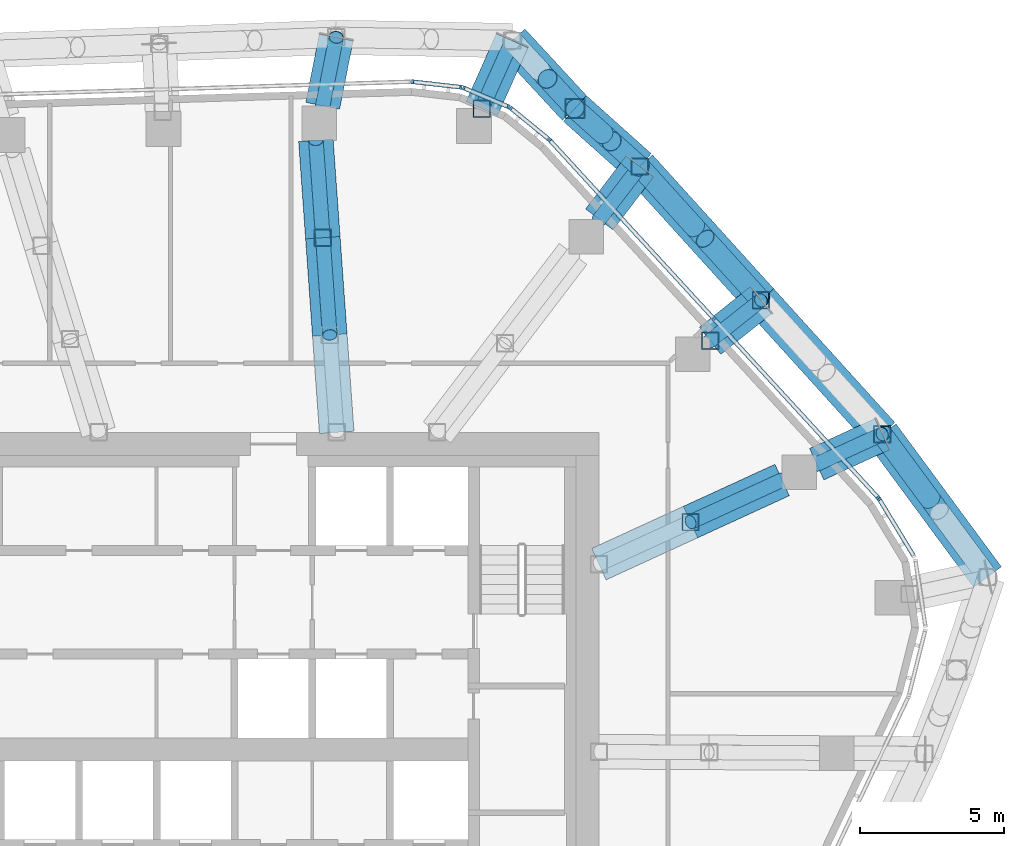
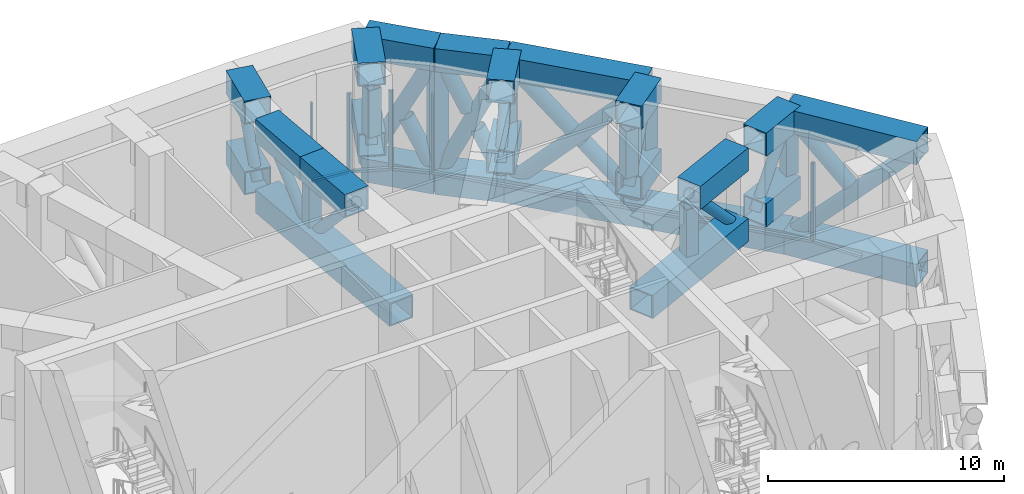
# One storey, part 9 of 21: 64 members, 3 elements without a shape of their own.
"""IFC4 building model written with IfcOpenShell, lengths in metres."""

import ifcopenshell
import ifcopenshell.guid

model = None  # the IFC model being written
_history = None  # IfcOwnerHistory: only IFC2X3 demands one
_inside = {}  # id of a spatial element -> (the spatial element, [elements in it])
_under = {}  # id of a project, library or spatial element -> (it, [spatial elements below it])
_declared = {}  # id of a project -> (the project, [libraries it declares])
_typed = {}  # id of a type object -> (the type object, [elements of that type])
_made_of = {}  # id of a material, layer set ... -> (it, [elements and type objects made of it])


def new_model(schema):
    """Start an empty IFC model of exactly this schema.

    Asked for "IFC4X3", IfcOpenShell would pick the latest addendum, in which some entities
    have other attributes; the version numbers below select the first issue.
    IFC2X3 requires an IfcOwnerHistory on every rooted entity: one is made here for all.
    """
    global model, _history
    if schema == "IFC4X3":
        model = ifcopenshell.file(schema_version=(4, 3, 0, 0))
    else:
        model = ifcopenshell.file(schema=schema)
    _inside.clear()
    _under.clear()
    _declared.clear()
    _typed.clear()
    _made_of.clear()
    _history = None
    if model.schema == "IFC2X3":
        org = make("IfcOrganization", Name="unknown")
        user = make(
            "IfcPersonAndOrganization",
            ThePerson=make("IfcPerson", FamilyName="unknown"),
            TheOrganization=org,
        )
        app = make(
            "IfcApplication",
            ApplicationDeveloper=org,
            Version="unknown",
            ApplicationFullName="unknown",
            ApplicationIdentifier="unknown",
        )
        _history = make(
            "IfcOwnerHistory",
            OwningUser=user,
            OwningApplication=app,
            ChangeAction="ADDED",
            CreationDate=0,
        )
    return model


def make(cls, **values):
    """One entity of the class cls with the attributes given. An attribute that is None is left unset."""
    return model.create_entity(
        cls, **{name: value for name, value in values.items() if value is not None}
    )


def rooted(cls, **values):
    """An entity with a GlobalId (a new one), such as an element, a storey or a relation."""
    return make(cls, GlobalId=ifcopenshell.guid.new(), OwnerHistory=_history, **values)


def si_unit(unit_type, name, prefix=None):
    """IfcSIUnit, for example si_unit("LENGTHUNIT", "METRE", prefix="MILLI")."""
    return make("IfcSIUnit", UnitType=unit_type, Prefix=prefix, Name=name)


def assignment(units):
    """IfcUnitAssignment: the units of a project."""
    return None if units is None else make("IfcUnitAssignment", Units=units)


def point(xyz):
    """IfcCartesianPoint."""
    return None if xyz is None else make("IfcCartesianPoint", Coordinates=xyz)


def direction(xyz):
    """IfcDirection."""
    return None if xyz is None else make("IfcDirection", DirectionRatios=xyz)


def frame(location, z_axis=None, x_axis=None):
    """IfcAxis2Placement3D, a coordinate frame: its origin and axes. An axis left out is left unset."""
    return make(
        "IfcAxis2Placement3D",
        Location=point(location),
        Axis=direction(z_axis),
        RefDirection=direction(x_axis),
    )


def frame_2d(location, x_axis=None):
    """IfcAxis2Placement2D, a coordinate frame in the plane: its origin and x axis."""
    return make(
        "IfcAxis2Placement2D", Location=point(location), RefDirection=direction(x_axis)
    )


def origin():
    """The frame at (0, 0, 0) with its axes left unset."""
    return frame((0.0, 0.0, 0.0))


def origin_2d():
    """The frame at (0, 0) in the plane with its x axis left unset."""
    return frame_2d((0.0, 0.0))


def place(relative_to, where):
    """IfcLocalPlacement: puts the frame where relative to a parent placement (None: the world)."""
    return make(
        "IfcLocalPlacement", PlacementRelTo=relative_to, RelativePlacement=where
    )


def context(
    kind, dimensions, precision=None, world=None, true_north=None, identifier=None
):
    """IfcGeometricRepresentationContext, for example the 3D "Model" context."""
    return make(
        "IfcGeometricRepresentationContext",
        ContextIdentifier=identifier,
        ContextType=kind,
        CoordinateSpaceDimension=dimensions,
        Precision=precision,
        WorldCoordinateSystem=world,
        TrueNorth=true_north,
    )


def subcontext(parent, identifier, kind, view, scale=None):
    """IfcGeometricRepresentationSubContext, for example "Body" below "Model"."""
    return make(
        "IfcGeometricRepresentationSubContext",
        ContextIdentifier=identifier,
        ContextType=kind,
        ParentContext=parent,
        TargetScale=scale,
        TargetView=view,
    )


def project(units=None, contexts=None):
    """IfcProject with its units and contexts."""
    return rooted(
        "IfcProject",
        Name="project",
        RepresentationContexts=contexts,
        UnitsInContext=assignment(units),
    )


def spatial(cls, under=None, at=None, **own):
    """A site, building, storey or space (cls), placed at a placement, below another one or the project."""
    s = rooted(cls, ObjectPlacement=at, **own)
    if under is not None:
        _under.setdefault(under.id(), (under, []))[1].append(s)
    return s


def profile(cls, at=None, kind="AREA", **sizes):
    """A parametric profile (cls). Its sizes go by their IFC names, for example OverallWidth=200.0."""
    return make(cls, ProfileType=kind, Position=at, **sizes)


def rectangle(**sizes):
    """IfcRectangleProfileDef."""
    return profile("IfcRectangleProfileDef", **sizes)


def hollow_rectangle(**sizes):
    """IfcRectangleHollowProfileDef."""
    return profile("IfcRectangleHollowProfileDef", **sizes)


def hollow_circle(**sizes):
    """IfcCircleHollowProfileDef."""
    return profile("IfcCircleHollowProfileDef", **sizes)


def extrude(swept, where, along, depth):
    """IfcExtrudedAreaSolid: the profile swept, set in the frame where, extruded along a direction by depth."""
    return make(
        "IfcExtrudedAreaSolid",
        SweptArea=swept,
        Position=where,
        ExtrudedDirection=direction(along),
        Depth=depth,
    )


def shape(context_of_items, identifier, shape_type, items):
    """IfcShapeRepresentation: the items that make up one representation, for example the "Body"."""
    return make(
        "IfcShapeRepresentation",
        ContextOfItems=context_of_items,
        RepresentationIdentifier=identifier,
        RepresentationType=shape_type,
        Items=items,
    )


def material(Name=None, Category=None):
    """IfcMaterial."""
    return make("IfcMaterial", Name=Name, Category=Category)


def layer(
    of_material, thickness, ventilated=None, Name=None, Category=None, Priority=None
):
    """IfcMaterialLayer: one layer of a wall or slab, of a material (None: an air gap)."""
    return make(
        "IfcMaterialLayer",
        Material=of_material,
        LayerThickness=thickness,
        IsVentilated=ventilated,
        Name=Name,
        Category=Category,
        Priority=Priority,
    )


def layer_set(layers, Name=None):
    """IfcMaterialLayerSet."""
    return make("IfcMaterialLayerSet", MaterialLayers=layers, LayerSetName=Name)


def material_profile(
    of_material, cross_section, Name=None, Category=None, Priority=None
):
    """IfcMaterialProfile: a cross section and its material."""
    return make(
        "IfcMaterialProfile",
        Name=Name,
        Material=of_material,
        Profile=cross_section,
        Priority=Priority,
        Category=Category,
    )


def profile_set(profiles, Name=None, composite=None):
    """IfcMaterialProfileSet."""
    return make(
        "IfcMaterialProfileSet",
        Name=Name,
        MaterialProfiles=profiles,
        CompositeProfile=composite,
    )


def made_of(thing, what):
    """Note that an element or type object is made of a material, layer set ...; save() writes the relation."""
    if what is not None:
        _made_of.setdefault(what.id(), (what, []))[1].append(thing)
    return thing


def type_object(cls, material=None, **own):
    """A type object (cls), such as IfcWallType, which elements share."""
    return made_of(rooted(cls, **own), material)


def element(
    cls,
    number,
    at=None,
    inside=None,
    cuts=None,
    type_object=None,
    material=None,
    context=None,
    identifier="Body",
    shape_type=None,
    held_by="IfcProductDefinitionShape",
    body=None,
    shapes=None,
    **own,
):
    """One element of the class cls, such as IfcWall. Its Tag is "e" and its number.

    at: its placement. inside: the storey or other place that contains it. cuts: it is an
    opening in that element (IfcRelVoidsElement). A single representation is given by context,
    identifier, shape_type and body (its items); several are given by shapes. held_by: the class
    of the entity that holds the representations. save() writes the other relations.
    """
    e = rooted(cls, Tag="e%d" % number, ObjectPlacement=at, **own)
    if body is not None:
        shapes = [shape(context, identifier, shape_type, body)]
    if shapes is not None:
        e.Representation = make(held_by, Representations=shapes)
    if inside is not None:
        _inside.setdefault(inside.id(), (inside, []))[1].append(e)
    if cuts is not None:
        rooted(
            "IfcRelVoidsElement", RelatingBuildingElement=cuts, RelatedOpeningElement=e
        )
    if type_object is not None:
        _typed.setdefault(type_object.id(), (type_object, []))[1].append(e)
    return made_of(e, material)


def aggregate(whole, parts):
    """IfcRelAggregates: a whole, such as a stair, and the parts it consists of."""
    return rooted("IfcRelAggregates", RelatingObject=whole, RelatedObjects=parts)


def save(model, path):
    """Write the relations noted so far, then the file.

    IfcRelAggregates (storeys below a building ...), IfcRelContainedInSpatialStructure (elements
    in a storey), IfcRelDefinesByType, IfcRelAssociatesMaterial and IfcRelDeclares: one each for
    every whole, place, type object, material and project.
    """
    for whole, parts in _under.values():
        aggregate(whole, parts)
    for where, things in _inside.values():
        rooted(
            "IfcRelContainedInSpatialStructure",
            RelatedElements=things,
            RelatingStructure=where,
        )
    for kind, things in _typed.values():
        rooted("IfcRelDefinesByType", RelatedObjects=things, RelatingType=kind)
    for what, things in _made_of.values():
        rooted("IfcRelAssociatesMaterial", RelatedObjects=things, RelatingMaterial=what)
    for by, libraries in _declared.values():
        rooted("IfcRelDeclares", RelatingContext=by, RelatedDefinitions=libraries)
    model.write(path)


model = new_model("IFC4")

# Units and contexts
model_context = context("Model", 3, precision=1e-05, world=origin(), true_north=direction((0.0, 1.0)))
body_context = subcontext(model_context, "Body", "Model", "MODEL_VIEW")
ifc_project = project(units=[si_unit("LENGTHUNIT", "METRE"), si_unit("AREAUNIT", "SQUARE_METRE"), si_unit("VOLUMEUNIT", "CUBIC_METRE"), si_unit("PLANEANGLEUNIT", "RADIAN"), si_unit("MASSUNIT", "GRAM", prefix="KILO")], contexts=[model_context])

# Site, building, storey
site_placement = place(None, origin())
site = spatial("IfcSite", under=ifc_project, at=site_placement, CompositionType="ELEMENT")
building_placement = place(site_placement, origin())
building = spatial("IfcBuilding", under=site, at=building_placement, Name="Dongbaek Canopy Tower", CompositionType="ELEMENT")
storey_placement = place(building_placement, frame((0.0, 0.0, 220.60009765625)))
storey = spatial("IfcBuildingStorey", under=building, at=storey_placement, Name="L46", CompositionType="ELEMENT", Elevation=220.60009765625)

# Members
ifc_material_1 = material(Name="Steel S355", Category="steel")
ifc_material_profile_1 = material_profile(ifc_material_1, hollow_circle(Radius=0.35546875, WallThickness=0.02001953125, at=origin_2d()), Name="BELT BRACE CHS 711.0x20.0 Steel S355")
ifc_profile_set_1 = profile_set([ifc_material_profile_1], Name="Steel S355")
member_type_1 = type_object("IfcMemberType", Name="BELT BRACE CHS 711.0x20.0 Steel S355", PredefinedType="BRACE", material=ifc_profile_set_1)
member_1_placement = place(storey_placement, frame((10.990234375, 24.598876953125, 0.599853515625), z_axis=(0.306233775165, -0.331553126058, 0.892352732696), x_axis=(0.734599412128, 0.67850107126, 0.0)))
element("IfcMember", 1, at=member_1_placement, inside=storey, type_object=member_type_1, Name="BELT:L46:17:D0:0", PredefinedType="BRACE", context=body_context, shape_type="SweptSolid", body=[
    extrude(hollow_circle(Radius=0.35546875, WallThickness=0.02001953125, at=origin_2d()), origin(), (0.0, 0.0, 1.0), 7.1162109375),
])
member_2_placement = place(storey_placement, frame((13.16943359375, 22.239501953125, 0.599853515625), z_axis=(-0.306269818167, 0.331570368363, 0.892333956153), x_axis=(-0.734577197306, -0.67852512201, 0.0)))
element("IfcMember", 2, at=member_2_placement, inside=storey, type_object=member_type_1, Name="BELT:L46:17:D0:1", PredefinedType="BRACE", context=body_context, shape_type="SweptSolid", body=[
    extrude(hollow_circle(Radius=0.35546875, WallThickness=0.02001953125, at=origin_2d()), origin(), (0.0, 0.0, 1.0), 3.116943359375),
])
member_3_placement = place(storey_placement, frame((13.16943359375, 22.239501953125, 0.599853515625), z_axis=(0.319786591612, -0.285960338329, 0.903306825352), x_axis=(0.666581858833, 0.745431838248, 0.0)))
element("IfcMember", 3, at=member_3_placement, inside=storey, type_object=member_type_1, Name="BELT:L46:17:D1:0", PredefinedType="BRACE", context=body_context, shape_type="SweptSolid", body=[
    extrude(hollow_circle(Radius=0.35546875, WallThickness=0.02001953125, at=origin_2d()), origin(), (0.0, 0.0, 1.0), 7.02978515625),
])
for number, where, z_axis, x_axis, name in (
    (4, (15.41748046875, 20.229248046875, 0.599853515625), (-0.319768346227, 0.285978186234, 0.903307634059), (-0.666626108912, -0.745392266473, 0.0), "BELT:L46:17:D1:1"),
    (5, (13.16943359375, 22.239501953125, 6.949951171875), (0.319768346227, -0.285978186234, -0.903307634059), (0.666626108912, 0.745392266473, 0.0), "BELT:L46:17:D1:2"),
):
    element("IfcMember", number, at=place(storey_placement, frame(where, z_axis=z_axis, x_axis=x_axis)), inside=storey, type_object=member_type_1, Name=name, PredefinedType="BRACE", context=body_context, shape_type="SweptSolid", body=[
        extrude(hollow_circle(Radius=0.35546875, WallThickness=0.02001953125, at=origin_2d()), origin(), (0.0, 0.0, 1.0), 3.05615234375),
    ])
member_4_placement = place(storey_placement, frame((15.41748046875, 20.229248046875, 0.599853515625), z_axis=(0.471608467163, -0.520668224742, 0.71168114591), x_axis=(0.741161956936, 0.671326264636, 0.0)))
element("IfcMember", 6, at=member_4_placement, inside=storey, type_object=member_type_1, Name="BELT:L46:18:D0:0", PredefinedType="BRACE", context=body_context, shape_type="SweptSolid", body=[
    extrude(hollow_circle(Radius=0.35546875, WallThickness=0.02001953125, at=origin_2d()), origin(), (0.0, 0.0, 1.0), 8.922607421875),
])
for number, where, z_axis, x_axis, name in (
    (7, (19.62548828125, 15.58349609375, 0.599853515625), (-0.47159463294, 0.520650940112, 0.711702958223), (-0.74116066659, -0.67132768921, 0.0), "BELT:L46:18:D0:1"),
    (8, (15.41748046875, 20.229248046875, 6.949951171875), (0.47159463294, -0.520650940112, -0.711702958223), (0.74116066659, 0.67132768921, 0.0), "BELT:L46:18:D0:2"),
):
    element("IfcMember", number, at=place(storey_placement, frame(where, z_axis=z_axis, x_axis=x_axis)), inside=storey, type_object=member_type_1, Name=name, PredefinedType="BRACE", context=body_context, shape_type="SweptSolid", body=[
        extrude(hollow_circle(Radius=0.35546875, WallThickness=0.02001953125, at=origin_2d()), origin(), (0.0, 0.0, 1.0), 4.105712890625),
    ])
member_5_placement = place(storey_placement, frame((23.8310546875, 10.93896484375, 0.599853515625), z_axis=(0.413596539144, -0.560582598304, 0.717415537389), x_axis=(0.804688470311, 0.593697284605, 0.0)))
element("IfcMember", 9, at=member_5_placement, inside=storey, type_object=member_type_1, Name="BELT:L46:20:D0:0", PredefinedType="BRACE", context=body_context, shape_type="SweptSolid", body=[
    extrude(hollow_circle(Radius=0.35546875, WallThickness=0.02001953125, at=origin_2d()), origin(), (0.0, 0.0, 1.0), 8.851318359375),
])
member_6_placement = place(storey_placement, frame((23.8310546875, 10.93896484375, 6.949951171875), z_axis=(0.413586439047, -0.560606070969, -0.717403018274), x_axis=(0.804707272231, 0.593671799918, 0.0)))
element("IfcMember", 10, at=member_6_placement, inside=storey, type_object=member_type_1, Name="BELT:L46:20:D0:2", PredefinedType="BRACE", context=body_context, shape_type="SweptSolid", body=[
    extrude(hollow_circle(Radius=0.35546875, WallThickness=0.02001953125, at=origin_2d()), origin(), (0.0, 0.0, 1.0), 4.070068359375),
])
ifc_material_2 = material(Name="Steel S355", Category="steel")
ifc_material_profile_2 = material_profile(ifc_material_2, hollow_rectangle(XDim=1.199951171875, YDim=1.199951171875, WallThickness=0.06005859375, at=origin_2d()), Name="BELT CHORD BOX 1200x1200x60 Steel S355")
ifc_profile_set_2 = profile_set([ifc_material_profile_2], Name="Steel S355")
member_type_2 = type_object("IfcMemberType", Name="BELT CHORD BOX 1200x1200x60 Steel S355", PredefinedType="CHORD", material=ifc_profile_set_2)
for number, where, z_axis, x_axis, name in (
    (11, (10.990234375, 24.598876953125, 0.599853515625), (0.67850107126, -0.734599412128, 0.0), (0.734599412128, 0.67850107126, 0.0), "BELT:L46:17:CB0"),
    (12, (10.990234375, 24.598876953125, 6.949951171875), (0.67850107126, -0.734599412128, 0.0), (0.734599412128, 0.67850107126, 0.0), "BELT:L46:17:CT0"),
):
    element("IfcMember", number, at=place(storey_placement, frame(where, z_axis=z_axis, x_axis=x_axis)), inside=storey, type_object=member_type_2, Name=name, PredefinedType="CHORD", context=body_context, shape_type="SweptSolid", body=[
        extrude(hollow_rectangle(XDim=1.199951171875, YDim=1.199951171875, WallThickness=0.06005859375, at=origin_2d()), origin(), (0.0, 0.0, 1.0), 3.211669921875),
    ])
for number, where, z_axis, x_axis, name in (
    (13, (13.16943359375, 22.239501953125, 0.599853515625), (0.745431838248, -0.666581858833, 0.0), (0.666581858833, 0.745431838248, 0.0), "BELT:L46:17:CB1"),
    (14, (13.16943359375, 22.239501953125, 6.949951171875), (0.745431838248, -0.666581858833, 0.0), (0.666581858833, 0.745431838248, 0.0), "BELT:L46:17:CT1"),
):
    element("IfcMember", number, at=place(storey_placement, frame(where, z_axis=z_axis, x_axis=x_axis)), inside=storey, type_object=member_type_2, Name=name, PredefinedType="CHORD", context=body_context, shape_type="SweptSolid", body=[
        extrude(hollow_rectangle(XDim=1.199951171875, YDim=1.199951171875, WallThickness=0.06005859375, at=origin_2d()), origin(), (0.0, 0.0, 1.0), 3.015869140625),
    ])
for number, where, z_axis, x_axis, name in (
    (15, (15.41748046875, 20.229248046875, 0.599853515625), (0.671326264636, -0.741161956936, 0.0), (0.741161956936, 0.671326264636, 0.0), "BELT:L46:18:CB0"),
    (16, (15.41748046875, 20.229248046875, 6.949951171875), (0.671326264636, -0.741161956936, 0.0), (0.741161956936, 0.671326264636, 0.0), "BELT:L46:18:CT0"),
):
    element("IfcMember", number, at=place(storey_placement, frame(where, z_axis=z_axis, x_axis=x_axis)), inside=storey, type_object=member_type_2, Name=name, PredefinedType="CHORD", context=body_context, shape_type="SweptSolid", body=[
        extrude(hollow_rectangle(XDim=1.199951171875, YDim=1.199951171875, WallThickness=0.06005859375, at=origin_2d()), origin(), (0.0, 0.0, 1.0), 6.268310546875),
    ])
member_7_placement = place(storey_placement, frame((19.62548828125, 15.58349609375, 0.599853515625), z_axis=(0.671209151066, -0.741268018685, 0.0), x_axis=(0.741268018685, 0.671209151066, 0.0)))
element("IfcMember", 17, at=member_7_placement, inside=storey, type_object=member_type_2, Name="BELT:L46:19:CB0", PredefinedType="CHORD", context=body_context, shape_type="SweptSolid", body=[
    extrude(hollow_rectangle(XDim=1.199951171875, YDim=1.199951171875, WallThickness=0.06005859375, at=origin_2d()), origin(), (0.0, 0.0, 1.0), 6.265625),
])
for number, where, z_axis, x_axis, name in (
    (18, (23.8310546875, 10.93896484375, 0.599853515625), (0.593697284605, -0.804688470311, 0.0), (0.804688470311, 0.593697284605, 0.0), "BELT:L46:20:CB0"),
    (19, (23.8310546875, 10.93896484375, 6.949951171875), (0.593697284605, -0.804688470311, 0.0), (0.804688470311, 0.593697284605, 0.0), "BELT:L46:20:CT0"),
):
    element("IfcMember", number, at=place(storey_placement, frame(where, z_axis=z_axis, x_axis=x_axis)), inside=storey, type_object=member_type_2, Name=name, PredefinedType="CHORD", context=body_context, shape_type="SweptSolid", body=[
        extrude(hollow_rectangle(XDim=1.199951171875, YDim=1.199951171875, WallThickness=0.06005859375, at=origin_2d()), origin(), (0.0, 0.0, 1.0), 6.166259765625),
    ])
ifc_material_3 = material(Name="Steel S355", Category="steel")
ifc_material_profile_3 = material_profile(ifc_material_3, hollow_rectangle(XDim=0.699951171875, YDim=0.699951171875, WallThickness=0.035888671875, at=origin_2d()), Name="BELT POST BOX 700x700x36 Steel S355")
ifc_profile_set_3 = profile_set([ifc_material_profile_3], Name="Steel S355")
member_type_3 = type_object("IfcMemberType", Name="BELT POST BOX 700x700x36 Steel S355", PredefinedType="POST", material=ifc_profile_set_3)
member_8_placement = place(storey_placement, frame((13.16943359375, 22.239501953125, 1.199951171875), z_axis=(0.0, 0.0, 1.0), x_axis=(1.0, 0.0, 0.0)))
element("IfcMember", 20, at=member_8_placement, inside=storey, type_object=member_type_3, Name="BELT:L46:17:P1", PredefinedType="POST", context=body_context, shape_type="SweptSolid", body=[
    extrude(hollow_rectangle(XDim=0.699951171875, YDim=0.699951171875, WallThickness=0.035888671875, at=origin_2d()), origin(), (0.0, 0.0, 1.0), 5.14990234375),
])
ifc_material_4 = material(Name="Steel S355", Category="steel")
ifc_material_profile_4 = material_profile(ifc_material_4, hollow_circle(Radius=0.25390625, WallThickness=0.01611328125, at=origin_2d()), Name="BRACE CHS 508.0x16.0 Steel S355")
ifc_profile_set_4 = profile_set([ifc_material_profile_4], Name="Steel S355")
member_type_4 = type_object("IfcMemberType", Name="BRACE CHS 508.0x16.0 Steel S355", PredefinedType="BRACE", material=ifc_profile_set_4)
member_9_placement = place(storey_placement, frame((9.93408203125, 22.235107421875, 3.2998046875), z_axis=(0.236006932628, 0.528205992071, 0.81565872624), x_axis=(-0.913008710616, 0.40794006219, 0.0)))
element("IfcMember", 21, at=member_9_placement, inside=storey, type_object=member_type_4, Name="TRUSS:L46:17:D0", PredefinedType="BRACE", context=body_context, shape_type="SweptSolid", body=[
    extrude(hollow_circle(Radius=0.25390625, WallThickness=0.01611328125, at=origin_2d()), origin(), (0.0, 0.0, 1.0), 4.47509765625),
])
member_10_placement = place(storey_placement, frame((17.861083984375, 14.182373046875, 3.2998046875), z_axis=(0.41133068704, 0.326639935371, 0.850948540465), x_axis=(-0.621876280089, 0.783115503781, 0.0)))
element("IfcMember", 22, at=member_10_placement, inside=storey, type_object=member_type_4, Name="TRUSS:L46:19:D0", PredefinedType="BRACE", context=body_context, shape_type="SweptSolid", body=[
    extrude(hollow_circle(Radius=0.25390625, WallThickness=0.01611328125, at=origin_2d()), origin(), (0.0, 0.0, 1.0), 4.28955078125),
])
ifc_material_5 = material(Name="Steel S355", Category="steel")
ifc_material_profile_5 = material_profile(ifc_material_5, hollow_rectangle(XDim=1.199951171875, YDim=1.199951171875, WallThickness=0.06005859375, at=origin_2d()), Name="CHORD BOX 1200x1200x60 Steel S355")
ifc_profile_set_5 = profile_set([ifc_material_profile_5], Name="Steel S355")
member_type_5 = type_object("IfcMemberType", Name="CHORD BOX 1200x1200x60 Steel S355", PredefinedType="CHORD", material=ifc_profile_set_5)
for number, where, z_axis, x_axis, name in (
    (23, (9.93408203125, 22.235107421875, 3.2998046875), (0.40794006219, 0.913008710616, 0.0), (-0.913008710616, 0.40794006219, 0.0), "TRUSS:L46:17:CB"),
    (24, (9.93408203125, 22.235107421875, 6.949951171875), (0.40794006219, 0.913008710616, 0.0), (-0.913008710616, 0.40794006219, 0.0), "TRUSS:L46:17:CT0"),
):
    element("IfcMember", number, at=place(storey_placement, frame(where, z_axis=z_axis, x_axis=x_axis)), inside=storey, type_object=member_type_5, Name=name, PredefinedType="CHORD", context=body_context, shape_type="SweptSolid", body=[
        extrude(hollow_rectangle(XDim=1.199951171875, YDim=1.199951171875, WallThickness=0.06005859375, at=origin_2d()), origin(), (0.0, 0.0, 1.0), 2.5888671875),
    ])
for number, where, z_axis, x_axis, name in (
    (25, (17.861083984375, 14.182373046875, 3.2998046875), (0.783115503781, 0.621876280089, 0.0), (-0.621876280089, 0.783115503781, 0.0), "TRUSS:L46:19:CB"),
    (26, (17.861083984375, 14.182373046875, 6.949951171875), (0.783115503781, 0.621876280089, 0.0), (-0.621876280089, 0.783115503781, 0.0), "TRUSS:L46:19:CT0"),
):
    element("IfcMember", number, at=place(storey_placement, frame(where, z_axis=z_axis, x_axis=x_axis)), inside=storey, type_object=member_type_5, Name=name, PredefinedType="CHORD", context=body_context, shape_type="SweptSolid", body=[
        extrude(hollow_rectangle(XDim=1.199951171875, YDim=1.199951171875, WallThickness=0.06005859375, at=origin_2d()), origin(), (0.0, 0.0, 1.0), 2.253173828125),
    ])

# Curtain wall, member
ifc_material_6 = material(Name="Aluminium 6063-T6 pale anodised", Category="aluminium")
ifc_layer = layer(ifc_material_6, 0.14990234375)
ifc_layer_set = layer_set([ifc_layer], Name="CW-7 louvre curtain wall")
curtain_wall_type = type_object("IfcCurtainWallType", Name="CW-7 louvre curtain wall", PredefinedType="NOTDEFINED", material=ifc_layer_set)
curtain_wall_1_placement = place(storey_placement, origin())
curtain_wall_1 = element("IfcCurtainWall", 27, at=curtain_wall_1_placement, inside=storey, type_object=curtain_wall_type, Name="CW-7 louvre wall L46 K0", PredefinedType="NOTDEFINED")
ifc_material_7 = material(Name="Aluminium 6063-T6 pale anodised", Category="aluminium")
ifc_material_profile_6 = material_profile(ifc_material_7, rectangle(XDim=0.14990234375, YDim=0.080078125, at=origin_2d()), Name="CW-7 mullion 80 x 150")
ifc_profile_set_6 = profile_set([ifc_material_profile_6], Name="Aluminium 6063-T6 pale anodised")
member_type_6 = type_object("IfcMemberType", Name="CW-7 mullion 80 x 150", PredefinedType="MULLION", material=ifc_profile_set_6)
member_11_placement = place(storey_placement, frame((23.7333984375, 8.677734375, 1.77490234375), z_axis=(0.0, 0.0, 1.0), x_axis=(0.855007774305, 0.518615180918, 0.0)))
member_11 = element("IfcMember", 28, at=member_11_placement, type_object=member_type_6, Name="CW-7 mullion L46 K0.3.2", PredefinedType="MULLION", context=body_context, shape_type="SweptSolid", body=[
    extrude(rectangle(XDim=0.14990234375, YDim=0.080078125, at=origin_2d()), origin(), (0.0, 0.0, 1.0), 4.0),
])

# Curtain wall, members
curtain_wall_2_placement = place(storey_placement, origin())
curtain_wall_2 = element("IfcCurtainWall", 29, at=curtain_wall_2_placement, inside=storey, type_object=curtain_wall_type, Name="CW-7 louvre wall L46 F0", PredefinedType="NOTDEFINED")
member_12_placement = place(storey_placement, frame((23.69189453125, 8.733154296875, 1.77490234375), z_axis=(0.0, 0.0, 1.0), x_axis=(0.736541799092, 0.676392029958, 0.0)))
member_12 = element("IfcMember", 30, at=member_12_placement, type_object=member_type_6, Name="CW-7 mullion L46 F0.1.1", PredefinedType="MULLION", context=body_context, shape_type="SweptSolid", body=[
    extrude(rectangle(XDim=0.14990234375, YDim=0.080078125, at=origin_2d()), origin(), (0.0, 0.0, 1.0), 4.0),
])
member_13_placement = place(storey_placement, frame((17.99169921875, 14.9404296875, 1.77490234375), z_axis=(0.0, 0.0, 1.0), x_axis=(0.736541799092, 0.676392029958, 0.0)))
member_13 = element("IfcMember", 31, at=member_13_placement, type_object=member_type_6, Name="CW-7 mullion L46 F0.1.2", PredefinedType="MULLION", context=body_context, shape_type="SweptSolid", body=[
    extrude(rectangle(XDim=0.14990234375, YDim=0.080078125, at=origin_2d()), origin(), (0.0, 0.0, 1.0), 4.0),
])
member_14_placement = place(storey_placement, frame((12.291259765625, 21.147705078125, 1.77490234375), z_axis=(0.0, 0.0, 1.0), x_axis=(0.736541799092, 0.676392029958, 0.0)))
member_14 = element("IfcMember", 32, at=member_14_placement, type_object=member_type_6, Name="CW-7 mullion L46 F0.1.3", PredefinedType="MULLION", context=body_context, shape_type="SweptSolid", body=[
    extrude(rectangle(XDim=0.14990234375, YDim=0.080078125, at=origin_2d()), origin(), (0.0, 0.0, 1.0), 4.0),
])

curtain_wall_3_placement = place(storey_placement, origin())
curtain_wall_3 = element("IfcCurtainWall", 33, at=curtain_wall_3_placement, inside=storey, type_object=curtain_wall_type, Name="CW-7 louvre wall L46 K1", PredefinedType="NOTDEFINED")
member_15_placement = place(storey_placement, frame((10.945556640625, 22.251220703125, 1.77490234375), z_axis=(0.0, 0.0, 1.0), x_axis=(0.632511206269, 0.774551208084, 0.0)))
member_15 = element("IfcMember", 34, at=member_15_placement, type_object=member_type_6, Name="CW-7 mullion L46 K1.1.2", PredefinedType="MULLION", context=body_context, shape_type="SweptSolid", body=[
    extrude(rectangle(XDim=0.14990234375, YDim=0.080078125, at=origin_2d()), origin(), (0.0, 0.0, 1.0), 4.0),
])
member_16_placement = place(storey_placement, frame((10.85986328125, 22.302734375, 1.77490234375), z_axis=(0.0, 0.0, 1.0), x_axis=(0.38802398789, 0.921649274302, 0.0)))
member_16 = element("IfcMember", 35, at=member_16_placement, type_object=member_type_6, Name="CW-7 mullion L46 K1.2.1", PredefinedType="MULLION", context=body_context, shape_type="SweptSolid", body=[
    extrude(rectangle(XDim=0.14990234375, YDim=0.080078125, at=origin_2d()), origin(), (0.0, 0.0, 1.0), 4.0),
])
member_17_placement = place(storey_placement, frame((9.30859375, 22.955810546875, 1.77490234375), z_axis=(0.0, 0.0, 1.0), x_axis=(0.38802398789, 0.921649274302, 0.0)))
member_17 = element("IfcMember", 36, at=member_17_placement, type_object=member_type_6, Name="CW-7 mullion L46 K1.2.2", PredefinedType="MULLION", context=body_context, shape_type="SweptSolid", body=[
    extrude(rectangle(XDim=0.14990234375, YDim=0.080078125, at=origin_2d()), origin(), (0.0, 0.0, 1.0), 4.0),
])
member_18_placement = place(storey_placement, frame((9.212158203125, 22.98095703125, 1.77490234375), z_axis=(0.0, 0.0, 1.0), x_axis=(0.111947022273, 0.993714176312, 0.0)))
member_18 = element("IfcMember", 37, at=member_18_placement, type_object=member_type_6, Name="CW-7 mullion L46 K1.3.1", PredefinedType="MULLION", context=body_context, shape_type="SweptSolid", body=[
    extrude(rectangle(XDim=0.14990234375, YDim=0.080078125, at=origin_2d()), origin(), (0.0, 0.0, 1.0), 4.0),
])
member_19_placement = place(storey_placement, frame((7.5322265625, 23.170166015625, 1.77490234375), z_axis=(0.0, 0.0, 1.0), x_axis=(0.111947022273, 0.993714176312, 0.0)))
member_19 = element("IfcMember", 38, at=member_19_placement, type_object=member_type_6, Name="CW-7 mullion L46 K1.3.2", PredefinedType="MULLION", context=body_context, shape_type="SweptSolid", body=[
    extrude(rectangle(XDim=0.14990234375, YDim=0.080078125, at=origin_2d()), origin(), (0.0, 0.0, 1.0), 4.0),
])

# Member
ifc_material_8 = material(Name="Aluminium 6063-T6 pale anodised", Category="aluminium")
ifc_material_profile_7 = material_profile(ifc_material_8, rectangle(XDim=0.14990234375, YDim=0.1201171875, at=origin_2d()), Name="CW-7 transom 120 x 150")
ifc_profile_set_7 = profile_set([ifc_material_profile_7], Name="Aluminium 6063-T6 pale anodised")
member_type_7 = type_object("IfcMemberType", Name="CW-7 transom 120 x 150", PredefinedType="USERDEFINED", material=ifc_profile_set_7)
member_20_placement = place(storey_placement, frame((24.939697265625, 6.68896484375, 1.71484375), z_axis=(-0.518611066147, 0.855010270155, 0.0), x_axis=(-0.855010270155, -0.518611066147, 0.0)))
member_20 = element("IfcMember", 39, at=member_20_placement, type_object=member_type_7, Name="CW-7 transom L46 K0.3", ObjectType="TRANSOM", PredefinedType="USERDEFINED", context=body_context, shape_type="SweptSolid", body=[
    extrude(rectangle(XDim=0.14990234375, YDim=0.1201171875, at=origin_2d()), origin(), (0.0, 0.0, 1.0), 2.325927734375),
])

aggregate(curtain_wall_1, [member_20, member_11])

member_21_placement = place(storey_placement, frame((23.69189453125, 8.733154296875, 1.71484375), z_axis=(-0.676389444632, 0.736544173278, 0.0), x_axis=(-0.736544173278, -0.676389444632, 0.0)))
member_21 = element("IfcMember", 40, at=member_21_placement, type_object=member_type_7, Name="CW-7 transom L46 F0.1", ObjectType="TRANSOM", PredefinedType="USERDEFINED", context=body_context, shape_type="SweptSolid", body=[
    extrude(rectangle(XDim=0.14990234375, YDim=0.1201171875, at=origin_2d()), origin(), (0.0, 0.0, 1.0), 16.855224609375),
])

aggregate(curtain_wall_2, [member_21, member_12, member_13, member_14])

member_22_placement = place(storey_placement, frame((12.2548828125, 21.181884765625, 1.71484375), z_axis=(-0.774516797476, 0.632553341962, 0.0), x_axis=(-0.632553341962, -0.774516797476, 0.0)))
member_22 = element("IfcMember", 41, at=member_22_placement, type_object=member_type_7, Name="CW-7 transom L46 K1.1", ObjectType="TRANSOM", PredefinedType="USERDEFINED", context=body_context, shape_type="SweptSolid", body=[
    extrude(rectangle(XDim=0.14990234375, YDim=0.1201171875, at=origin_2d()), origin(), (0.0, 0.0, 1.0), 1.6904296875),
])

member_23_placement = place(storey_placement, frame((10.85986328125, 22.302734375, 1.71484375), z_axis=(-0.921654486632, 0.388011607136, 0.0), x_axis=(-0.388011607136, -0.921654486632, 0.0)))
member_23 = element("IfcMember", 42, at=member_23_placement, type_object=member_type_7, Name="CW-7 transom L46 K1.2", ObjectType="TRANSOM", PredefinedType="USERDEFINED", context=body_context, shape_type="SweptSolid", body=[
    extrude(rectangle(XDim=0.14990234375, YDim=0.1201171875, at=origin_2d()), origin(), (0.0, 0.0, 1.0), 1.68310546875),
])

member_24_placement = place(storey_placement, frame((9.212158203125, 22.98095703125, 1.71484375), z_axis=(-0.993717069409, 0.111921338293, 0.0), x_axis=(-0.111921338293, -0.993717069409, 0.0)))
member_24 = element("IfcMember", 43, at=member_24_placement, type_object=member_type_7, Name="CW-7 transom L46 K1.3", ObjectType="TRANSOM", PredefinedType="USERDEFINED", context=body_context, shape_type="SweptSolid", body=[
    extrude(rectangle(XDim=0.14990234375, YDim=0.1201171875, at=origin_2d()), origin(), (0.0, 0.0, 1.0), 1.690673828125),
])

aggregate(curtain_wall_3, [member_22, member_15, member_23, member_16, member_17, member_24, member_18, member_19])

# Members
ifc_material_9 = material(Name="Steel S355", Category="steel")
ifc_material_profile_8 = material_profile(ifc_material_9, hollow_circle(Radius=0.25390625, WallThickness=0.01611328125, at=origin_2d()), Name="OUTRIGGER BRACE CHS 508.0x16.0 Steel S355")
ifc_profile_set_8 = profile_set([ifc_material_profile_8], Name="Steel S355")
member_type_8 = type_object("IfcMemberType", Name="OUTRIGGER BRACE CHS 508.0x16.0 Steel S355", PredefinedType="BRACE", material=ifc_profile_set_8)
for number, where, z_axis, x_axis, name in (
    (44, (4.65869140625, 14.378662109375, 6.949951171875), (-0.04843914455, 0.678491216017, -0.733009767372), (-0.997461260266, -0.071211194822, 0.0), "TRUSS:L46:16:D1"),
    (45, (4.41748046875, 17.75732421875, 3.2998046875), (-0.048390231937, 0.678492826521, 0.733011507285), (-0.99746637731, -0.071139483662, 0.0), "TRUSS:L46:16:D2"),
):
    element("IfcMember", number, at=place(storey_placement, frame(where, z_axis=z_axis, x_axis=x_axis)), inside=storey, type_object=member_type_8, Name=name, PredefinedType="BRACE", context=body_context, shape_type="SweptSolid", body=[
        extrude(hollow_circle(Radius=0.25390625, WallThickness=0.01611328125, at=origin_2d()), origin(), (0.0, 0.0, 1.0), 4.979736328125),
    ])
member_25_placement = place(storey_placement, frame((4.41357421875, 22.3359375, 3.2998046875), z_axis=(0.107203387141, 0.542703217649, 0.833055010992), x_axis=(-0.981042796574, 0.193791205401, 0.0)))
element("IfcMember", 46, at=member_25_placement, inside=storey, type_object=member_type_8, Name="TRUSS:L46:16s:D0", PredefinedType="BRACE", context=body_context, shape_type="SweptSolid", body=[
    extrude(hollow_circle(Radius=0.25390625, WallThickness=0.01611328125, at=origin_2d()), origin(), (0.0, 0.0, 1.0), 4.381591796875),
])
member_26_placement = place(storey_placement, frame((14.017333984375, 18.39208984375, 3.2998046875), z_axis=(0.324136382854, 0.425305367215, 0.845015354848), x_axis=(-0.795346793144, 0.606154665606, 0.0)))
element("IfcMember", 47, at=member_26_placement, inside=storey, type_object=member_type_8, Name="TRUSS:L46:18s:D0", PredefinedType="BRACE", context=body_context, shape_type="SweptSolid", body=[
    extrude(hollow_circle(Radius=0.25390625, WallThickness=0.01611328125, at=origin_2d()), origin(), (0.0, 0.0, 1.0), 4.319580078125),
])
member_27_placement = place(storey_placement, frame((17.179931640625, 7.885986328125, 6.949951171875), z_axis=(0.628932347275, 0.288683134067, -0.721876825127), x_axis=(-0.417159157731, 0.908833448505, 0.0)))
element("IfcMember", 48, at=member_27_placement, inside=storey, type_object=member_type_8, Name="TRUSS:L46:20:D1", PredefinedType="BRACE", context=body_context, shape_type="SweptSolid", body=[
    extrude(hollow_circle(Radius=0.25390625, WallThickness=0.01611328125, at=origin_2d()), origin(), (0.0, 0.0, 1.0), 5.056396484375),
])
member_28_placement = place(storey_placement, frame((21.56005859375, 9.896484375, 3.2998046875), z_axis=(0.513388163231, 0.235666249946, 0.825163021766), x_axis=(-0.417186181273, 0.908821044076, 0.0)))
element("IfcMember", 49, at=member_28_placement, inside=storey, type_object=member_type_8, Name="TRUSS:L46:20s:D0", PredefinedType="BRACE", context=body_context, shape_type="SweptSolid", body=[
    extrude(hollow_circle(Radius=0.25390625, WallThickness=0.01611328125, at=origin_2d()), origin(), (0.0, 0.0, 1.0), 4.423583984375),
])
ifc_material_10 = material(Name="Steel S355", Category="steel")
ifc_material_profile_9 = material_profile(ifc_material_10, hollow_rectangle(XDim=1.199951171875, YDim=1.199951171875, WallThickness=0.06005859375, at=origin_2d()), Name="OUTRIGGER CHORD BOX 1200x1200x60 Steel S355")
ifc_profile_set_9 = profile_set([ifc_material_profile_9], Name="Steel S355")
member_type_9 = type_object("IfcMemberType", Name="OUTRIGGER CHORD BOX 1200x1200x60 Steel S355", PredefinedType="CHORD", material=ifc_profile_set_9)
member_29_placement = place(storey_placement, frame((4.89990234375, 11.0, 3.2998046875), z_axis=(-0.071187291225, 0.997462966515, 0.0), x_axis=(-0.997462966515, -0.071187291225, 0.0)))
element("IfcMember", 50, at=member_29_placement, inside=storey, type_object=member_type_9, Name="TRUSS:L46:16:CB", PredefinedType="CHORD", context=body_context, shape_type="SweptSolid", body=[
    extrude(hollow_rectangle(XDim=1.199951171875, YDim=1.199951171875, WallThickness=0.06005859375, at=origin_2d()), origin(), (0.0, 0.0, 1.0), 10.161865234375),
])
for number, where, z_axis, x_axis, name in (
    (51, (4.65869140625, 14.378662109375, 6.949951171875), (-0.071211194822, 0.997461260266, 0.0), (-0.997461260266, -0.071211194822, 0.0), "TRUSS:L46:16:CT1"),
    (52, (4.41748046875, 17.75732421875, 6.949951171875), (-0.071139483662, 0.99746637731, 0.0), (-0.99746637731, -0.071139483662, 0.0), "TRUSS:L46:16:CT2"),
):
    element("IfcMember", number, at=place(storey_placement, frame(where, z_axis=z_axis, x_axis=x_axis)), inside=storey, type_object=member_type_9, Name=name, PredefinedType="CHORD", context=body_context, shape_type="SweptSolid", body=[
        extrude(hollow_rectangle(XDim=1.199951171875, YDim=1.199951171875, WallThickness=0.06005859375, at=origin_2d()), origin(), (0.0, 0.0, 1.0), 3.38720703125),
    ])
for number, where, z_axis, x_axis, name in (
    (53, (4.41357421875, 22.3359375, 3.2998046875), (0.193791205401, 0.981042796574, 0.0), (-0.981042796574, 0.193791205401, 0.0), "TRUSS:L46:16s:CB"),
    (54, (4.41357421875, 22.3359375, 6.949951171875), (0.193791205401, 0.981042796574, 0.0), (-0.981042796574, 0.193791205401, 0.0), "TRUSS:L46:16s:CT0"),
):
    element("IfcMember", number, at=place(storey_placement, frame(where, z_axis=z_axis, x_axis=x_axis)), inside=storey, type_object=member_type_9, Name=name, PredefinedType="CHORD", context=body_context, shape_type="SweptSolid", body=[
        extrude(hollow_rectangle(XDim=1.199951171875, YDim=1.199951171875, WallThickness=0.06005859375, at=origin_2d()), origin(), (0.0, 0.0, 1.0), 2.423828125),
    ])
for number, where, z_axis, x_axis, name in (
    (55, (14.017333984375, 18.39208984375, 3.2998046875), (0.606154665606, 0.795346793144, 0.0), (-0.795346793144, 0.606154665606, 0.0), "TRUSS:L46:18s:CB"),
    (56, (14.017333984375, 18.39208984375, 6.949951171875), (0.606154665606, 0.795346793144, 0.0), (-0.795346793144, 0.606154665606, 0.0), "TRUSS:L46:18s:CT0"),
):
    element("IfcMember", number, at=place(storey_placement, frame(where, z_axis=z_axis, x_axis=x_axis)), inside=storey, type_object=member_type_9, Name=name, PredefinedType="CHORD", context=body_context, shape_type="SweptSolid", body=[
        extrude(hollow_rectangle(XDim=1.199951171875, YDim=1.199951171875, WallThickness=0.06005859375, at=origin_2d()), origin(), (0.0, 0.0, 1.0), 2.309814453125),
    ])
member_30_placement = place(storey_placement, frame((14.0, 6.42626953125, 3.2998046875), z_axis=(0.908827377404, 0.417172384131, 0.0), x_axis=(-0.417172384131, 0.908827377404, 0.0)))
element("IfcMember", 57, at=member_30_placement, inside=storey, type_object=member_type_9, Name="TRUSS:L46:20:CB", PredefinedType="CHORD", context=body_context, shape_type="SweptSolid", body=[
    extrude(hollow_rectangle(XDim=1.199951171875, YDim=1.199951171875, WallThickness=0.06005859375, at=origin_2d()), origin(), (0.0, 0.0, 1.0), 6.998046875),
])
member_31_placement = place(storey_placement, frame((17.179931640625, 7.885986328125, 6.949951171875), z_axis=(0.908833448505, 0.417159157731, 0.0), x_axis=(-0.417159157731, 0.908833448505, 0.0)))
element("IfcMember", 58, at=member_31_placement, inside=storey, type_object=member_type_9, Name="TRUSS:L46:20:CT1", PredefinedType="CHORD", context=body_context, shape_type="SweptSolid", body=[
    extrude(hollow_rectangle(XDim=1.199951171875, YDim=1.199951171875, WallThickness=0.06005859375, at=origin_2d()), origin(), (0.0, 0.0, 1.0), 3.499267578125),
])
for number, where, z_axis, x_axis, name in (
    (59, (21.56005859375, 9.896484375, 3.2998046875), (0.908821044076, 0.417186181273, 0.0), (-0.417186181273, 0.908821044076, 0.0), "TRUSS:L46:20s:CB"),
    (60, (21.56005859375, 9.896484375, 6.949951171875), (0.908821044076, 0.417186181273, 0.0), (-0.417186181273, 0.908821044076, 0.0), "TRUSS:L46:20s:CT0"),
):
    element("IfcMember", number, at=place(storey_placement, frame(where, z_axis=z_axis, x_axis=x_axis)), inside=storey, type_object=member_type_9, Name=name, PredefinedType="CHORD", context=body_context, shape_type="SweptSolid", body=[
        extrude(hollow_rectangle(XDim=1.199951171875, YDim=1.199951171875, WallThickness=0.06005859375, at=origin_2d()), origin(), (0.0, 0.0, 1.0), 2.498779296875),
    ])
ifc_material_11 = material(Name="Steel S355", Category="steel")
ifc_material_profile_10 = material_profile(ifc_material_11, hollow_rectangle(XDim=0.60009765625, YDim=0.60009765625, WallThickness=0.031982421875, at=origin_2d()), Name="OUTRIGGER POST BOX 600x600x32 Steel S355")
ifc_profile_set_10 = profile_set([ifc_material_profile_10], Name="Steel S355")
member_type_10 = type_object("IfcMemberType", Name="OUTRIGGER POST BOX 600x600x32 Steel S355", PredefinedType="POST", material=ifc_profile_set_10)
for number, where, z_axis, x_axis, name in (
    (61, (4.41748046875, 17.75732421875, 3.89990234375), (0.0, 0.0, 1.0), (1.0, 0.0, 0.0), "TRUSS:L46:16:P2"),
    (62, (15.41748046875, 20.229248046875, 3.89990234375), (0.0, 0.0, 1.0), (1.0, 0.0, 0.0), "TRUSS:L46:18s:P1"),
    (63, (17.179931640625, 7.885986328125, 3.89990234375), (0.0, 0.0, 1.0), (1.0, 0.0, 0.0), "TRUSS:L46:20:P1"),
    (64, (23.8310546875, 10.93896484375, 3.89990234375), (0.0, 0.0, 1.0), (1.0, 0.0, 0.0), "TRUSS:L46:20s:P1"),
):
    element("IfcMember", number, at=place(storey_placement, frame(where, z_axis=z_axis, x_axis=x_axis)), inside=storey, type_object=member_type_10, Name=name, PredefinedType="POST", context=body_context, shape_type="SweptSolid", body=[
        extrude(hollow_rectangle(XDim=0.60009765625, YDim=0.60009765625, WallThickness=0.031982421875, at=origin_2d()), origin(), (0.0, 0.0, 1.0), 2.449951171875),
    ])
ifc_material_12 = material(Name="Steel S355", Category="steel")
ifc_material_profile_11 = material_profile(ifc_material_12, hollow_rectangle(XDim=0.60009765625, YDim=0.60009765625, WallThickness=0.031982421875, at=origin_2d()), Name="POST BOX 600x600x32 Steel S355")
ifc_profile_set_11 = profile_set([ifc_material_profile_11], Name="Steel S355")
member_type_11 = type_object("IfcMemberType", Name="POST BOX 600x600x32 Steel S355", PredefinedType="POST", material=ifc_profile_set_11)
for number, where, z_axis, x_axis, name in (
    (65, (9.93408203125, 22.235107421875, 3.89990234375), (0.0, 0.0, 1.0), (1.0, 0.0, 0.0), "TRUSS:L46:17:P0"),
    (66, (17.861083984375, 14.182373046875, 3.89990234375), (0.0, 0.0, 1.0), (1.0, 0.0, 0.0), "TRUSS:L46:19:P0"),
    (67, (19.62548828125, 15.58349609375, 3.89990234375), (0.0, 0.0, 1.0), (1.0, 0.0, 0.0), "TRUSS:L46:19:P1"),
):
    element("IfcMember", number, at=place(storey_placement, frame(where, z_axis=z_axis, x_axis=x_axis)), inside=storey, type_object=member_type_11, Name=name, PredefinedType="POST", context=body_context, shape_type="SweptSolid", body=[
        extrude(hollow_rectangle(XDim=0.60009765625, YDim=0.60009765625, WallThickness=0.031982421875, at=origin_2d()), origin(), (0.0, 0.0, 1.0), 2.449951171875),
    ])

save(model, "model.ifc")
